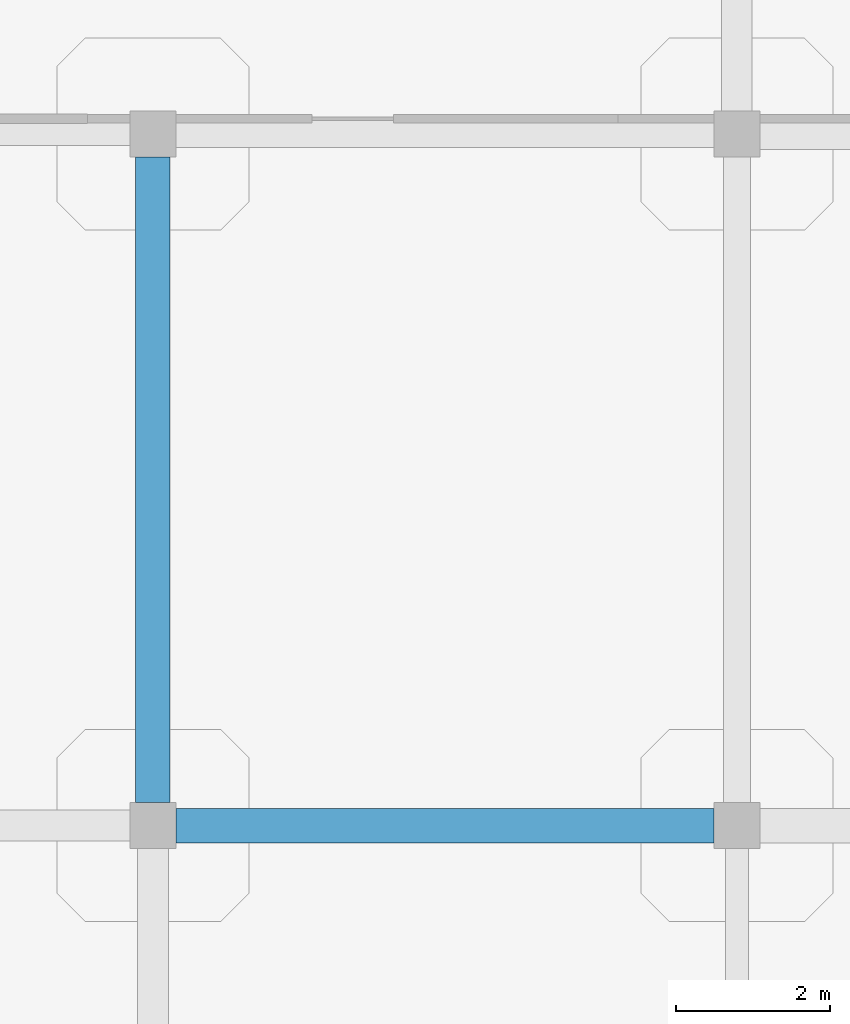
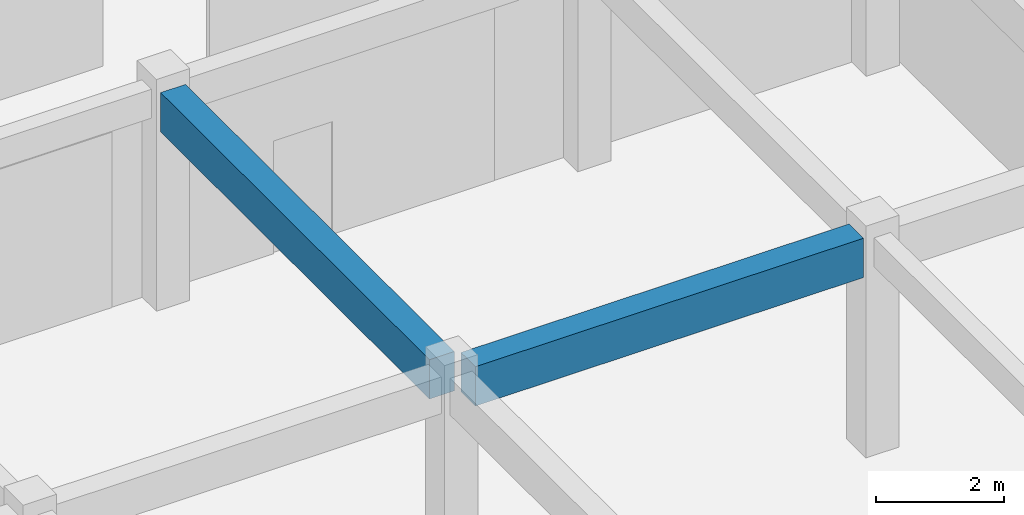
# One storey, part 83 of 142: 2 beams.
"""IFC4 building model written with IfcOpenShell, lengths in metres."""

from ifc_helpers import new_model, si_unit, direction, frame, origin, origin_2d, place, context, subcontext, project, spatial, rectangle, extrude, material, material_profile, profile_set, type_object, element, save


model = new_model("IFC4")

# Units and contexts
model_context = context("Model", 3, precision=1e-05, world=origin(), true_north=direction((0.0, 1.0)))
body_context = subcontext(model_context, "Body", "Model", "MODEL_VIEW")
ifc_project = project(units=[si_unit("LENGTHUNIT", "METRE"), si_unit("AREAUNIT", "SQUARE_METRE"), si_unit("VOLUMEUNIT", "CUBIC_METRE"), si_unit("PLANEANGLEUNIT", "RADIAN"), si_unit("MASSUNIT", "GRAM", prefix="KILO")], contexts=[model_context])

# Site, building, storey
site_placement = place(None, origin())
site = spatial("IfcSite", under=ifc_project, at=site_placement, CompositionType="ELEMENT")
building_placement = place(site_placement, origin())
building = spatial("IfcBuilding", under=site, at=building_placement, Name="Valcora Specialist Clinic", CompositionType="ELEMENT")
storey_placement = place(building_placement, frame((0.0, 0.0, 5.10009765625)))
storey = spatial("IfcBuildingStorey", under=building, at=storey_placement, Name="L01", CompositionType="ELEMENT", Elevation=5.10009765625)

# Beams
ifc_material = material(Name="Concrete C40/50", Category="concrete")
ifc_material_profile = material_profile(ifc_material, rectangle(XDim=0.449951171875, YDim=0.75, at=origin_2d()), Name="RC-BM-450X750")
ifc_profile_set = profile_set([ifc_material_profile], Name="Concrete C40/50")
beam_type = type_object("IfcBeamType", Name="TY-BM-RC450X750", PredefinedType="BEAM", material=ifc_profile_set)
beam_1_placement = place(storey_placement, frame((98.699951171875, 90.199951171875, 3.77001953125), z_axis=(1.0, 0.0, 0.0), x_axis=(0.0, 1.0, 0.0)))
element("IfcBeam", 1, at=beam_1_placement, inside=storey, type_object=beam_type, Name="Beam BM-L01-0635", PredefinedType="BEAM", context=body_context, shape_type="SweptSolid", body=[
    extrude(rectangle(XDim=0.449951171875, YDim=0.75, at=origin_2d()), origin(), (0.0, 0.0, 1.0), 7.0),
])
beam_2_placement = place(storey_placement, frame((98.39990234375, 90.5, 3.77001953125), z_axis=(0.0, 1.0, 0.0), x_axis=(-1.0, 0.0, 0.0)))
element("IfcBeam", 2, at=beam_2_placement, inside=storey, type_object=beam_type, Name="Beam BM-L01-0675", PredefinedType="BEAM", context=body_context, shape_type="SweptSolid", body=[
    extrude(rectangle(XDim=0.449951171875, YDim=0.75, at=origin_2d()), origin(), (0.0, 0.0, 1.0), 8.39990234375),
])

save(model, "model.ifc")
